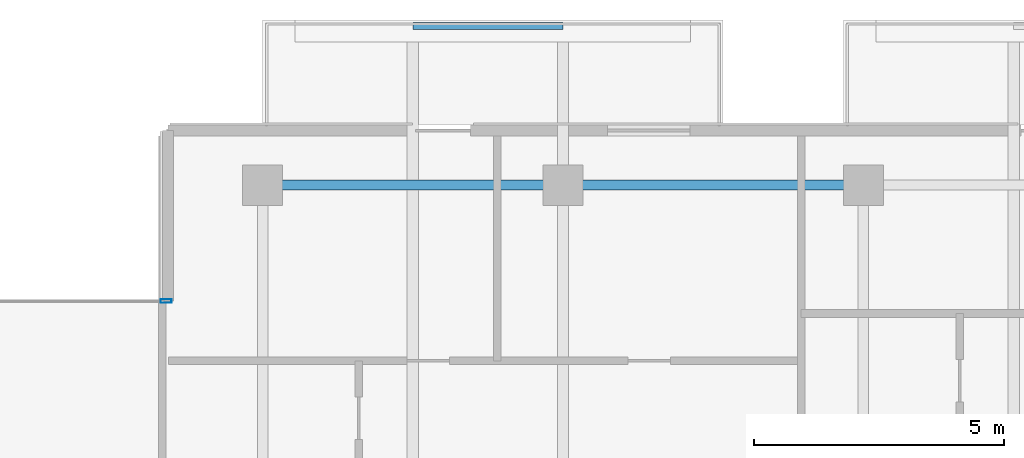
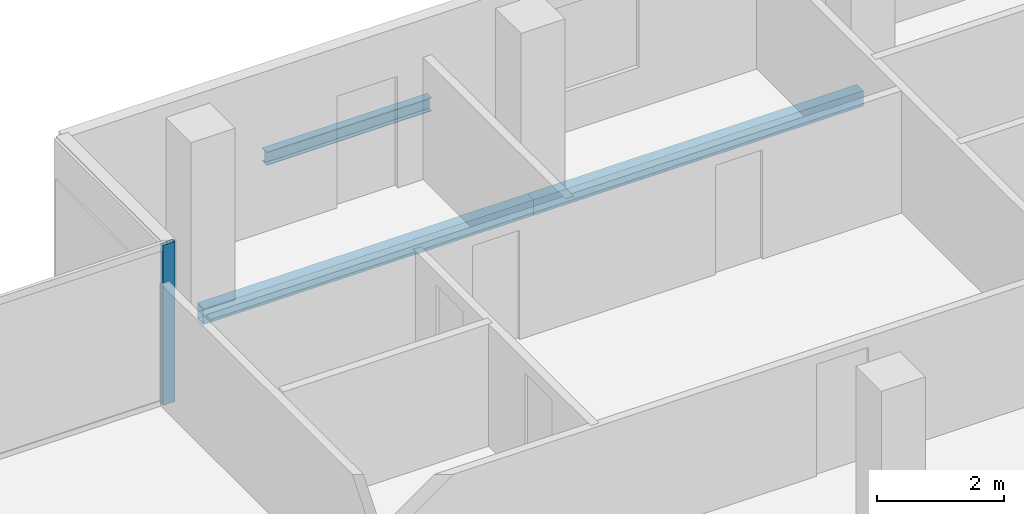
# One storey, part 12 of 29: 3 beams, 1 member, 1 element without a shape of its own.
"""IFC4 building model written with IfcOpenShell, lengths in metres."""

from ifc_helpers import new_model, si_unit, direction, frame, origin, origin_2d, place, context, subcontext, project, spatial, hollow_rectangle, i_section, extrude, material, layer, layer_set, material_profile, profile_set, type_object, element, aggregate, save


model = new_model("IFC4")

# Units and contexts
model_context = context("Model", 3, precision=1e-05, world=origin(), true_north=direction((0.0, 1.0)))
body_context = subcontext(model_context, "Body", "Model", "MODEL_VIEW")
ifc_project = project(units=[si_unit("LENGTHUNIT", "METRE"), si_unit("AREAUNIT", "SQUARE_METRE"), si_unit("VOLUMEUNIT", "CUBIC_METRE"), si_unit("PLANEANGLEUNIT", "RADIAN"), si_unit("MASSUNIT", "GRAM", prefix="KILO")], contexts=[model_context])

# Site, building, storey
site_placement = place(None, origin())
site = spatial("IfcSite", under=ifc_project, at=site_placement, CompositionType="ELEMENT")
building_placement = place(site_placement, origin())
building = spatial("IfcBuilding", under=site, at=building_placement, Name="Tanjung Sevakor Pilgrim Tower", CompositionType="ELEMENT")
storey_placement = place(building_placement, frame((0.0, 0.0, 181.830078125)))
storey = spatial("IfcBuildingStorey", under=building, at=storey_placement, Name="L50", CompositionType="ELEMENT", Elevation=181.830078125)

# Beams
ifc_material_1 = material(Name="Steel S355J2", Category="steel")
ifc_material_profile_1 = material_profile(ifc_material_1, i_section(OverallWidth=0.146484375, OverallDepth=0.256103515625, WebThickness=0.00634765625, FlangeThickness=0.010986328125, FilletRadius=0.007568359375, at=origin_2d()))
ifc_profile_set_1 = profile_set([ifc_material_profile_1], Name="Steel S355J2")
beam_type_1 = type_object("IfcBeamType", Name="BM-B-J6-UB_254x146x37", PredefinedType="JOIST", material=ifc_profile_set_1)
beam_placement = place(storey_placement, frame((57.0, 57.1298828125, -0.328125), z_axis=(1.0, 0.0, 0.0), x_axis=(0.0, 1.0, 0.0)))
element("IfcBeam", 1, at=beam_placement, inside=storey, type_object=beam_type_1, Name="L50 Balcony Rim Tie MAIN-N2", PredefinedType="JOIST", context=body_context, shape_type="SweptSolid", body=[
    extrude(i_section(OverallWidth=0.146484375, OverallDepth=0.256103515625, WebThickness=0.00634765625, FlangeThickness=0.010986328125, FilletRadius=0.007568359375, at=origin_2d()), origin(), (0.0, 0.0, 1.0), 3.0),
])
ifc_material_2 = material(Name="Steel S355J2", Category="steel")
ifc_material_profile_2 = material_profile(ifc_material_2, hollow_rectangle(XDim=0.199951171875, YDim=0.300048828125, WallThickness=0.012451171875, at=origin_2d()))
ifc_profile_set_2 = profile_set([ifc_material_profile_2], Name="Steel S355J2")
beam_type_2 = type_object("IfcBeamType", Name="BM-B-SP3-RHS_300x200x12.5", PredefinedType="SPANDREL", material=ifc_profile_set_2)
for number, where, z_axis, x_axis, name in (
    (2, (54.0, 53.949951171875, -0.3701171875), (1.0, 0.0, 0.0), (0.0, 1.0, 0.0), "L50 Spandrel MAIN N-06"),
    (3, (60.0, 53.949951171875, -0.3701171875), (1.0, 0.0, 0.0), (0.0, 1.0, 0.0), "L50 Spandrel MAIN N-08"),
):
    element("IfcBeam", number, at=place(storey_placement, frame(where, z_axis=z_axis, x_axis=x_axis)), inside=storey, type_object=beam_type_2, Name=name, PredefinedType="SPANDREL", context=body_context, shape_type="SweptSolid", body=[
        extrude(hollow_rectangle(XDim=0.199951171875, YDim=0.300048828125, WallThickness=0.012451171875, at=origin_2d()), origin(), (0.0, 0.0, 1.0), 6.0),
    ])

# Curtain wall, member
ifc_material_3 = material(Name="Aluminium 6063-T6 and Low-E Glass", Category="aluminium")
ifc_layer = layer(ifc_material_3, 0.179931640625)
ifc_layer_set = layer_set([ifc_layer], Name="CW-SYS-CLEFT")
curtain_wall_type = type_object("IfcCurtainWallType", Name="CW-SYS-CLEFT", PredefinedType="NOTDEFINED", material=ifc_layer_set)
curtain_wall_placement = place(storey_placement, origin())
curtain_wall = element("IfcCurtainWall", 4, at=curtain_wall_placement, inside=storey, type_object=curtain_wall_type, Name="L50 Curtain Wall CW-CLF-L50-10", PredefinedType="NOTDEFINED")
ifc_material_4 = material(Name="Aluminium 6063-T6", Category="aluminium")
ifc_material_profile_3 = material_profile(ifc_material_4, hollow_rectangle(XDim=0.074951171875, YDim=0.219970703125, WallThickness=0.0048828125, at=origin_2d()))
ifc_profile_set_3 = profile_set([ifc_material_profile_3], Name="Aluminium 6063-T6")
member_type = type_object("IfcMemberType", Name="TYPE-CWM-2", PredefinedType="MULLION", material=ifc_profile_set_3)
member_placement = place(storey_placement, frame((52.072509765625, 51.639892578125, 0.0), z_axis=(0.0, 0.0, 1.0), x_axis=(0.0, -1.0, 0.0)))
member = element("IfcMember", 5, at=member_placement, type_object=member_type, Name="CW-CLF mullion 1", PredefinedType="MULLION", context=body_context, shape_type="SweptSolid", body=[
    extrude(hollow_rectangle(XDim=0.074951171875, YDim=0.219970703125, WallThickness=0.0048828125, at=origin_2d()), origin(), (0.0, 0.0, 1.0), 3.079833984375),
])
aggregate(curtain_wall, [member])

save(model, "model.ifc")
